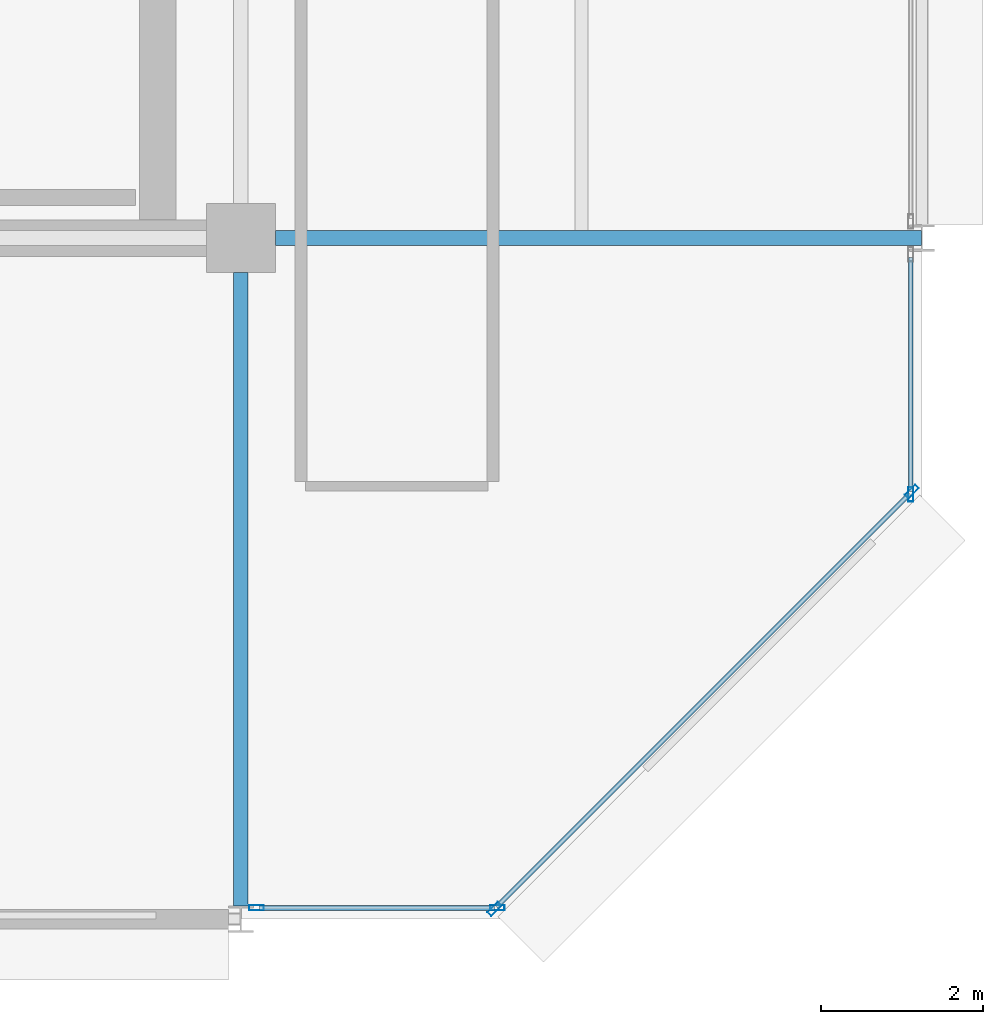
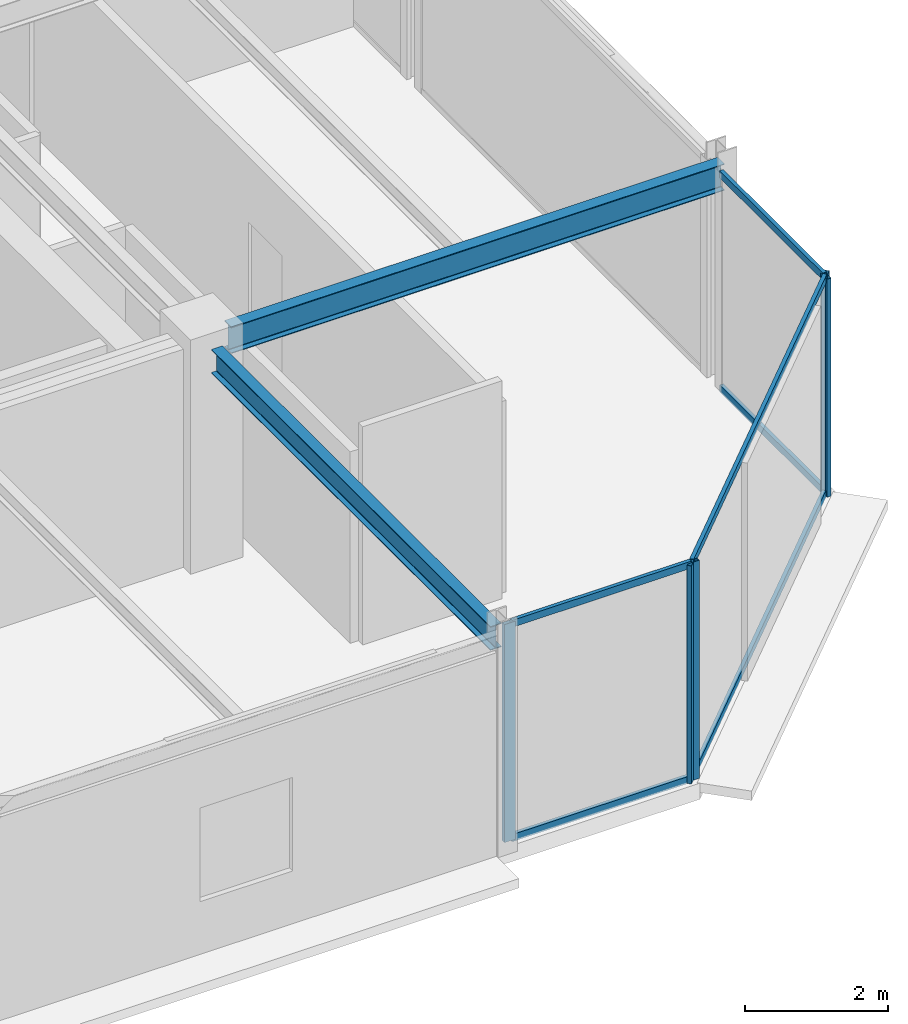
# One storey, part 14 of 27: 11 members, 2 beams, 3 elements without a shape of their own.
"""IFC4 building model written with IfcOpenShell, lengths in metres."""

from ifc_helpers import new_model, si_unit, direction, frame, origin, origin_2d, place, context, subcontext, project, spatial, hollow_rectangle, i_section, extrude, material, layer, layer_set, material_profile, profile_set, type_object, element, aggregate, save


model = new_model("IFC4")

# Units and contexts
model_context = context("Model", 3, precision=1e-05, world=origin(), true_north=direction((0.0, 1.0)))
body_context = subcontext(model_context, "Body", "Model", "MODEL_VIEW")
ifc_project = project(units=[si_unit("LENGTHUNIT", "METRE"), si_unit("AREAUNIT", "SQUARE_METRE"), si_unit("VOLUMEUNIT", "CUBIC_METRE"), si_unit("PLANEANGLEUNIT", "RADIAN"), si_unit("MASSUNIT", "GRAM", prefix="KILO")], contexts=[model_context])

# Site, building, storey
site_placement = place(None, origin())
site = spatial("IfcSite", under=ifc_project, at=site_placement, CompositionType="ELEMENT")
building_placement = place(site_placement, origin())
building = spatial("IfcBuilding", under=site, at=building_placement, Name="Nerrivon Quay Data Exchange", CompositionType="ELEMENT")
storey_placement = place(building_placement, frame((0.0, 0.0, 254.199951171875)))
storey = spatial("IfcBuildingStorey", under=building, at=storey_placement, Name="L60", CompositionType="ELEMENT", Elevation=254.199951171875)

# Beams
ifc_material_1 = material(Name="Steel Grade 350", Category="steel")
ifc_material_profile_1 = material_profile(ifc_material_1, i_section(OverallWidth=0.18994140625, OverallDepth=0.4541015625, WebThickness=0.008544921875, FlangeThickness=0.0126953125, FilletRadius=0.011474609375, at=origin_2d()), Name="460UB67.1")
ifc_profile_set_1 = profile_set([ifc_material_profile_1], Name="Steel Grade 350")
beam_type_1 = type_object("IfcBeamType", Name="BM-G6-460UB67", PredefinedType="BEAM", material=ifc_profile_set_1)
beam_1_placement = place(storey_placement, frame((34.02490234375, 8.39990234375, 3.498046875), z_axis=(1.0, 0.0, 0.0), x_axis=(0.0, 1.0, 0.0)))
element("IfcBeam", 1, at=beam_1_placement, inside=storey, type_object=beam_type_1, Name="L60 EW Girder Y=8.4 (33.6..42.0)", PredefinedType="BEAM", context=body_context, shape_type="SweptSolid", body=[
    extrude(i_section(OverallWidth=0.18994140625, OverallDepth=0.4541015625, WebThickness=0.008544921875, FlangeThickness=0.0126953125, FilletRadius=0.011474609375, at=origin_2d()), origin(), (0.0, 0.0, 1.0), 7.96728515625),
])
ifc_material_profile_2 = material_profile(ifc_material_1, i_section(OverallWidth=0.177978515625, OverallDepth=0.406005859375, WebThickness=0.0078125, FlangeThickness=0.0126953125, FilletRadius=0.011474609375, at=origin_2d()), Name="410UB59.7")
ifc_profile_set_2 = profile_set([ifc_material_profile_2], Name="Steel Grade 350")
beam_type_2 = type_object("IfcBeamType", Name="BM-J1-410UB60", PredefinedType="JOIST", material=ifc_profile_set_2)
beam_2_placement = place(storey_placement, frame((33.60009765625, 0.16357421875, 3.52197265625), z_axis=(0.0, 1.0, 0.0), x_axis=(-1.0, 0.0, 0.0)))
element("IfcBeam", 2, at=beam_2_placement, inside=storey, type_object=beam_type_2, Name="L60 NS Girder X=33.6 (0.0..8.4)", PredefinedType="JOIST", context=body_context, shape_type="SweptSolid", body=[
    extrude(i_section(OverallWidth=0.177978515625, OverallDepth=0.406005859375, WebThickness=0.0078125, FlangeThickness=0.0126953125, FilletRadius=0.011474609375, at=origin_2d()), origin(), (0.0, 0.0, 1.0), 7.8115234375),
])

# Curtain wall, members
ifc_material_2 = material(Name="Anodised aluminium 6063-T6", Category="aluminium")
ifc_layer = layer(ifc_material_2, 0.195068359375)
ifc_layer_set = layer_set([ifc_layer], Name="Anodised aluminium 6063-T6")
curtain_wall_type = type_object("IfcCurtainWallType", Name="CW-SYS-06", PredefinedType="NOTDEFINED", material=ifc_layer_set)
curtain_wall_1_placement = place(storey_placement, origin())
curtain_wall_1 = element("IfcCurtainWall", 3, at=curtain_wall_1_placement, inside=storey, type_object=curtain_wall_type, Name="L60 Unitised Curtain Wall 1", PredefinedType="NOTDEFINED")
ifc_material_profile_3 = material_profile(ifc_material_2, hollow_rectangle(XDim=0.06494140625, YDim=0.179931640625, WallThickness=0.00341796875, at=origin_2d()), Name="ALU-MULL-180x65")
ifc_profile_set_3 = profile_set([ifc_material_profile_3], Name="Anodised aluminium 6063-T6")
member_type_1 = type_object("IfcMemberType", Name="CWM-180x65", PredefinedType="MULLION", material=ifc_profile_set_3)
member_1_placement = place(storey_placement, frame((41.87451171875, 5.2724609375, 0.0), z_axis=(0.0, 0.0, 1.0), x_axis=(0.707106781187, -0.707106781187, 0.0)))
member_1 = element("IfcMember", 4, at=member_1_placement, type_object=member_type_1, Name="CW06 mullion 1", PredefinedType="MULLION", context=body_context, shape_type="SweptSolid", body=[
    extrude(hollow_rectangle(XDim=0.06494140625, YDim=0.179931640625, WallThickness=0.00341796875, at=origin_2d()), origin(), (0.0, 0.0, 1.0), 3.72509765625),
])
member_2_placement = place(storey_placement, frame((36.7275390625, 0.12548828125, 0.0), z_axis=(0.0, 0.0, 1.0), x_axis=(0.707106781187, -0.707106781187, 0.0)))
member_2 = element("IfcMember", 5, at=member_2_placement, type_object=member_type_1, Name="CW06 mullion 2", PredefinedType="MULLION", context=body_context, shape_type="SweptSolid", body=[
    extrude(hollow_rectangle(XDim=0.06494140625, YDim=0.179931640625, WallThickness=0.00341796875, at=origin_2d()), origin(), (0.0, 0.0, 1.0), 3.72509765625),
])

curtain_wall_2_placement = place(storey_placement, origin())
curtain_wall_2 = element("IfcCurtainWall", 6, at=curtain_wall_2_placement, inside=storey, type_object=curtain_wall_type, Name="L60 Unitised Curtain Wall 2", PredefinedType="NOTDEFINED")
member_3_placement = place(storey_placement, frame((36.762451171875, 0.139892578125, 0.0), z_axis=(0.0, 0.0, 1.0), x_axis=(0.0, -1.0, 0.0)))
member_3 = element("IfcMember", 7, at=member_3_placement, type_object=member_type_1, Name="CW06 mullion 1", PredefinedType="MULLION", context=body_context, shape_type="SweptSolid", body=[
    extrude(hollow_rectangle(XDim=0.06494140625, YDim=0.179931640625, WallThickness=0.00341796875, at=origin_2d()), origin(), (0.0, 0.0, 1.0), 3.72509765625),
])
member_4_placement = place(storey_placement, frame((33.79296875, 0.139892578125, 0.0), z_axis=(0.0, 0.0, 1.0), x_axis=(0.0, -1.0, 0.0)))
member_4 = element("IfcMember", 8, at=member_4_placement, type_object=member_type_1, Name="CW06 mullion 2", PredefinedType="MULLION", context=body_context, shape_type="SweptSolid", body=[
    extrude(hollow_rectangle(XDim=0.06494140625, YDim=0.179931640625, WallThickness=0.00341796875, at=origin_2d()), origin(), (0.0, 0.0, 1.0), 3.72509765625),
])

# Curtain wall, member
curtain_wall_3_placement = place(storey_placement, origin())
curtain_wall_3 = element("IfcCurtainWall", 9, at=curtain_wall_3_placement, inside=storey, type_object=curtain_wall_type, Name="L60 Unitised Curtain Wall 28", PredefinedType="NOTDEFINED")
member_5_placement = place(storey_placement, frame((41.860107421875, 5.237548828125, 0.0), z_axis=(0.0, 0.0, 1.0), x_axis=(1.0, 0.0, 0.0)))
member_5 = element("IfcMember", 10, at=member_5_placement, type_object=member_type_1, Name="CW06 mullion 2", PredefinedType="MULLION", context=body_context, shape_type="SweptSolid", body=[
    extrude(hollow_rectangle(XDim=0.06494140625, YDim=0.179931640625, WallThickness=0.00341796875, at=origin_2d()), origin(), (0.0, 0.0, 1.0), 3.72509765625),
])

# Member
ifc_material_profile_4 = material_profile(ifc_material_2, hollow_rectangle(XDim=0.06005859375, YDim=0.1201171875, WallThickness=0.003173828125, at=origin_2d()), Name="ALU-TRAN-120x60")
ifc_profile_set_4 = profile_set([ifc_material_profile_4], Name="Anodised aluminium 6063-T6")
member_type_2 = type_object("IfcMemberType", Name="CWT-120x60", PredefinedType="USERDEFINED", material=ifc_profile_set_4)
member_6_placement = place(storey_placement, frame((41.847900390625, 5.245849609375, 0.032470703125), z_axis=(-0.707106781187, -0.707106781187, 0.0), x_axis=(0.707106781187, -0.707106781187, 0.0)))
member_6 = element("IfcMember", 11, at=member_6_placement, type_object=member_type_2, Name="CW06 transom 1.1", ObjectType="TRANSOM", PredefinedType="USERDEFINED", context=body_context, shape_type="SweptSolid", body=[
    extrude(hollow_rectangle(XDim=0.06005859375, YDim=0.1201171875, WallThickness=0.003173828125, at=origin_2d()), origin(), (0.0, 0.0, 1.0), 7.20361328125),
])

member_7_placement = place(storey_placement, frame((41.847900390625, 5.245849609375, 3.692626953125), z_axis=(-0.707106781187, -0.707106781187, 0.0), x_axis=(0.707106781187, -0.707106781187, 0.0)))
member_7 = element("IfcMember", 12, at=member_7_placement, type_object=member_type_2, Name="CW06 transom 1.2", ObjectType="TRANSOM", PredefinedType="USERDEFINED", context=body_context, shape_type="SweptSolid", body=[
    extrude(hollow_rectangle(XDim=0.06005859375, YDim=0.1201171875, WallThickness=0.003173828125, at=origin_2d()), origin(), (0.0, 0.0, 1.0), 7.20361328125),
])

aggregate(curtain_wall_1, [member_1, member_2, member_6, member_7])

member_8_placement = place(storey_placement, frame((36.72509765625, 0.139892578125, 0.032470703125), z_axis=(-1.0, 0.0, 0.0), x_axis=(0.0, -1.0, 0.0)))
member_8 = element("IfcMember", 13, at=member_8_placement, type_object=member_type_2, Name="CW06 transom 1.1", ObjectType="TRANSOM", PredefinedType="USERDEFINED", context=body_context, shape_type="SweptSolid", body=[
    extrude(hollow_rectangle(XDim=0.06005859375, YDim=0.1201171875, WallThickness=0.003173828125, at=origin_2d()), origin(), (0.0, 0.0, 1.0), 2.89453125),
])

member_9_placement = place(storey_placement, frame((36.72509765625, 0.139892578125, 3.692626953125), z_axis=(-1.0, 0.0, 0.0), x_axis=(0.0, -1.0, 0.0)))
member_9 = element("IfcMember", 14, at=member_9_placement, type_object=member_type_2, Name="CW06 transom 1.2", ObjectType="TRANSOM", PredefinedType="USERDEFINED", context=body_context, shape_type="SweptSolid", body=[
    extrude(hollow_rectangle(XDim=0.06005859375, YDim=0.1201171875, WallThickness=0.003173828125, at=origin_2d()), origin(), (0.0, 0.0, 1.0), 2.89453125),
])

aggregate(curtain_wall_2, [member_3, member_4, member_8, member_9])

member_10_placement = place(storey_placement, frame((41.860107421875, 8.16162109375, 0.032470703125), z_axis=(0.0, -1.0, 0.0), x_axis=(1.0, 0.0, 0.0)))
member_10 = element("IfcMember", 15, at=member_10_placement, type_object=member_type_2, Name="CW06 transom 1.1", ObjectType="TRANSOM", PredefinedType="USERDEFINED", context=body_context, shape_type="SweptSolid", body=[
    extrude(hollow_rectangle(XDim=0.06005859375, YDim=0.1201171875, WallThickness=0.003173828125, at=origin_2d()), origin(), (0.0, 0.0, 1.0), 2.88671875),
])

member_11_placement = place(storey_placement, frame((41.860107421875, 8.16162109375, 3.692626953125), z_axis=(0.0, -1.0, 0.0), x_axis=(1.0, 0.0, 0.0)))
member_11 = element("IfcMember", 16, at=member_11_placement, type_object=member_type_2, Name="CW06 transom 1.2", ObjectType="TRANSOM", PredefinedType="USERDEFINED", context=body_context, shape_type="SweptSolid", body=[
    extrude(hollow_rectangle(XDim=0.06005859375, YDim=0.1201171875, WallThickness=0.003173828125, at=origin_2d()), origin(), (0.0, 0.0, 1.0), 2.88671875),
])

aggregate(curtain_wall_3, [member_5, member_10, member_11])

save(model, "model.ifc")
